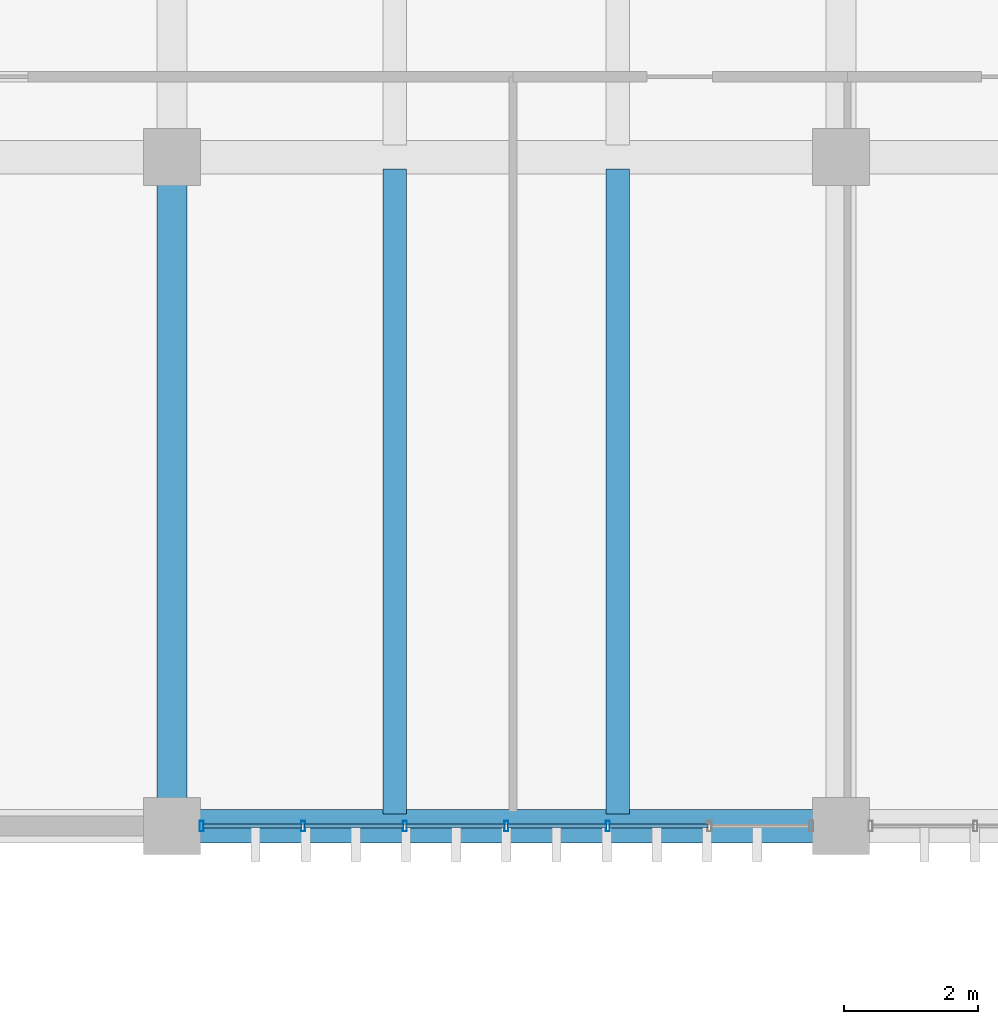
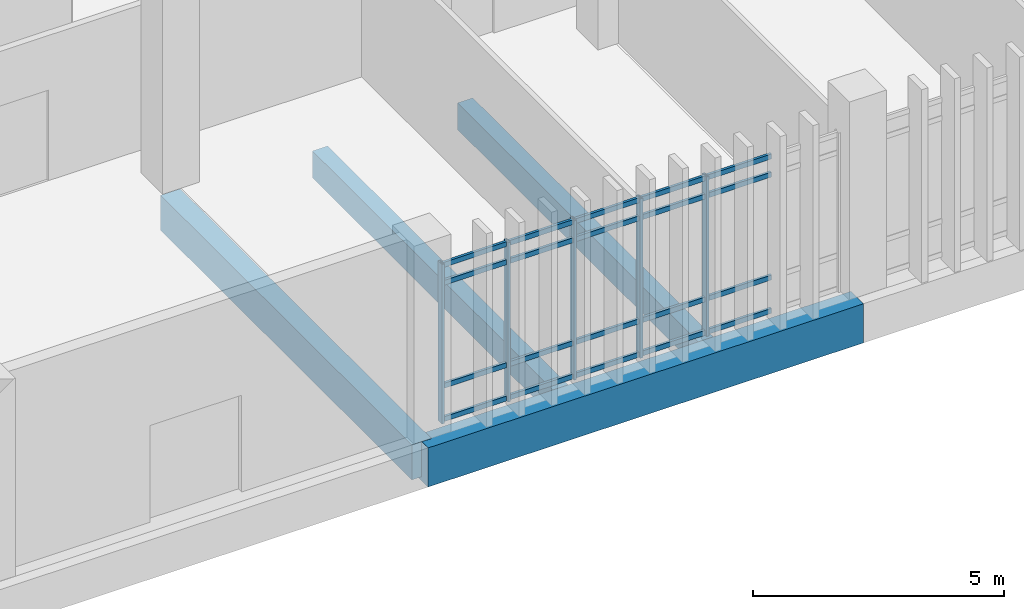
# One storey, part 44 of 87: 25 members, 4 beams, 1 element without a shape of its own.
"""IFC4 building model written with IfcOpenShell, lengths in metres."""

from ifc_helpers import new_model, si_unit, direction, frame, origin, origin_2d, place, context, subcontext, project, spatial, rectangle, hollow_rectangle, extrude, material, layer, layer_set, material_profile, profile_set, type_object, element, aggregate, save


model = new_model("IFC4")

# Units and contexts
model_context = context("Model", 3, precision=1e-05, world=origin(), true_north=direction((0.0, 1.0)))
body_context = subcontext(model_context, "Body", "Model", "MODEL_VIEW")
ifc_project = project(units=[si_unit("LENGTHUNIT", "METRE"), si_unit("AREAUNIT", "SQUARE_METRE"), si_unit("VOLUMEUNIT", "CUBIC_METRE"), si_unit("PLANEANGLEUNIT", "RADIAN"), si_unit("MASSUNIT", "GRAM", prefix="KILO")], contexts=[model_context])

# Site, building, storey
site_placement = place(None, origin())
site = spatial("IfcSite", under=ifc_project, at=site_placement, CompositionType="ELEMENT")
building_placement = place(site_placement, origin())
building = spatial("IfcBuilding", under=site, at=building_placement, Name="Mersad Railyard Sports Hall", CompositionType="ELEMENT")
storey_placement = place(building_placement, origin())
storey = spatial("IfcBuildingStorey", under=building, at=storey_placement, Name="L00", CompositionType="ELEMENT", Elevation=0.0)

# Curtain wall, members
ifc_material_1 = material(Name="Aluminium 6063-T6", Category="aluminium")
ifc_layer = layer(ifc_material_1, 0.159912109375)
ifc_layer_set = layer_set([ifc_layer], Name="Aluminium 6063-T6")
curtain_wall_type = type_object("IfcCurtainWallType", Name="ARC-CW-CW32", PredefinedType="USERDEFINED", material=ifc_layer_set)
curtain_wall_placement = place(storey_placement, origin())
curtain_wall = element("IfcCurtainWall", 1, at=curtain_wall_placement, inside=storey, type_object=curtain_wall_type, Name="Curtain wall CW32-0093", ObjectType="CURTAIN WALL", PredefinedType="USERDEFINED")
ifc_material_profile_1 = material_profile(ifc_material_1, hollow_rectangle(XDim=0.06005859375, YDim=0.159912109375, WallThickness=0.00390625, at=origin_2d()), Name="AL MULLION 60x160x4")
ifc_profile_set_1 = profile_set([ifc_material_profile_1], Name="Aluminium 6063-T6")
member_type_1 = type_object("IfcMemberType", Name="ARC-CW-MUL01", PredefinedType="MULLION", material=ifc_profile_set_1)
member_1_placement = place(storey_placement, frame((117.518310546875, 85.0, -0.02001953125), z_axis=(0.0, 0.0, 1.0), x_axis=(1.0, 0.0, 0.0)))
member_1 = element("IfcMember", 2, at=member_1_placement, type_object=member_type_1, Name="CW32 Mullion 3", PredefinedType="MULLION", context=body_context, shape_type="SweptSolid", body=[
    extrude(hollow_rectangle(XDim=0.06005859375, YDim=0.159912109375, WallThickness=0.00390625, at=origin_2d()), origin(), (0.0, 0.0, 1.0), 3.8701171875),
])
member_2_placement = place(storey_placement, frame((116.0, 85.0, -0.02001953125), z_axis=(0.0, 0.0, 1.0), x_axis=(1.0, 0.0, 0.0)))
member_2 = element("IfcMember", 3, at=member_2_placement, type_object=member_type_1, Name="CW32 Mullion 4", PredefinedType="MULLION", context=body_context, shape_type="SweptSolid", body=[
    extrude(hollow_rectangle(XDim=0.06005859375, YDim=0.159912109375, WallThickness=0.00390625, at=origin_2d()), origin(), (0.0, 0.0, 1.0), 3.8701171875),
])
member_3_placement = place(storey_placement, frame((114.481689453125, 85.0, -0.02001953125), z_axis=(0.0, 0.0, 1.0), x_axis=(1.0, 0.0, 0.0)))
member_3 = element("IfcMember", 4, at=member_3_placement, type_object=member_type_1, Name="CW32 Mullion 5", PredefinedType="MULLION", context=body_context, shape_type="SweptSolid", body=[
    extrude(hollow_rectangle(XDim=0.06005859375, YDim=0.159912109375, WallThickness=0.00390625, at=origin_2d()), origin(), (0.0, 0.0, 1.0), 3.8701171875),
])
member_4_placement = place(storey_placement, frame((112.96337890625, 85.0, -0.02001953125), z_axis=(0.0, 0.0, 1.0), x_axis=(1.0, 0.0, 0.0)))
member_4 = element("IfcMember", 5, at=member_4_placement, type_object=member_type_1, Name="CW32 Mullion 6", PredefinedType="MULLION", context=body_context, shape_type="SweptSolid", body=[
    extrude(hollow_rectangle(XDim=0.06005859375, YDim=0.159912109375, WallThickness=0.00390625, at=origin_2d()), origin(), (0.0, 0.0, 1.0), 3.8701171875),
])
member_5_placement = place(storey_placement, frame((111.445068359375, 85.0, -0.02001953125), z_axis=(0.0, 0.0, 1.0), x_axis=(1.0, 0.0, 0.0)))
member_5 = element("IfcMember", 6, at=member_5_placement, type_object=member_type_1, Name="CW32 Mullion 7", PredefinedType="MULLION", context=body_context, shape_type="SweptSolid", body=[
    extrude(hollow_rectangle(XDim=0.06005859375, YDim=0.159912109375, WallThickness=0.00390625, at=origin_2d()), origin(), (0.0, 0.0, 1.0), 3.8701171875),
])
ifc_material_profile_2 = material_profile(ifc_material_1, hollow_rectangle(XDim=0.06005859375, YDim=0.1201171875, WallThickness=0.00390625, at=origin_2d()), Name="AL TRANSOM 60x120x4")
ifc_profile_set_2 = profile_set([ifc_material_profile_2], Name="Aluminium 6063-T6")
member_type_2 = type_object("IfcMemberType", Name="ARC-CW-TRN01", PredefinedType="USERDEFINED", material=ifc_profile_set_2)
member_6_placement = place(storey_placement, frame((119.0166015625, 85.0, 0.0400390625), z_axis=(-1.0, 0.0, 0.0), x_axis=(0.0, -1.0, 0.0)))
member_6 = element("IfcMember", 7, at=member_6_placement, type_object=member_type_2, Name="CW32 Transom 1-2", ObjectType="TRANSOM", PredefinedType="USERDEFINED", context=body_context, shape_type="SweptSolid", body=[
    extrude(hollow_rectangle(XDim=0.06005859375, YDim=0.1201171875, WallThickness=0.00390625, at=origin_2d()), origin(), (0.0, 0.0, 1.0), 1.478271484375),
])
member_7_placement = place(storey_placement, frame((117.498291015625, 85.0, 0.0400390625), z_axis=(-1.0, 0.0, 0.0), x_axis=(0.0, -1.0, 0.0)))
member_7 = element("IfcMember", 8, at=member_7_placement, type_object=member_type_2, Name="CW32 Transom 1-3", ObjectType="TRANSOM", PredefinedType="USERDEFINED", context=body_context, shape_type="SweptSolid", body=[
    extrude(hollow_rectangle(XDim=0.06005859375, YDim=0.1201171875, WallThickness=0.00390625, at=origin_2d()), origin(), (0.0, 0.0, 1.0), 1.478271484375),
])
member_8_placement = place(storey_placement, frame((115.97998046875, 85.0, 0.0400390625), z_axis=(-1.0, 0.0, 0.0), x_axis=(0.0, -1.0, 0.0)))
member_8 = element("IfcMember", 9, at=member_8_placement, type_object=member_type_2, Name="CW32 Transom 1-4", ObjectType="TRANSOM", PredefinedType="USERDEFINED", context=body_context, shape_type="SweptSolid", body=[
    extrude(hollow_rectangle(XDim=0.06005859375, YDim=0.1201171875, WallThickness=0.00390625, at=origin_2d()), origin(), (0.0, 0.0, 1.0), 1.478271484375),
])
member_9_placement = place(storey_placement, frame((114.461669921875, 85.0, 0.0400390625), z_axis=(-1.0, 0.0, 0.0), x_axis=(0.0, -1.0, 0.0)))
member_9 = element("IfcMember", 10, at=member_9_placement, type_object=member_type_2, Name="CW32 Transom 1-5", ObjectType="TRANSOM", PredefinedType="USERDEFINED", context=body_context, shape_type="SweptSolid", body=[
    extrude(hollow_rectangle(XDim=0.06005859375, YDim=0.1201171875, WallThickness=0.00390625, at=origin_2d()), origin(), (0.0, 0.0, 1.0), 1.478271484375),
])
member_10_placement = place(storey_placement, frame((112.943359375, 85.0, 0.0400390625), z_axis=(-1.0, 0.0, 0.0), x_axis=(0.0, -1.0, 0.0)))
member_10 = element("IfcMember", 11, at=member_10_placement, type_object=member_type_2, Name="CW32 Transom 1-6", ObjectType="TRANSOM", PredefinedType="USERDEFINED", context=body_context, shape_type="SweptSolid", body=[
    extrude(hollow_rectangle(XDim=0.06005859375, YDim=0.1201171875, WallThickness=0.00390625, at=origin_2d()), origin(), (0.0, 0.0, 1.0), 1.478271484375),
])
member_11_placement = place(storey_placement, frame((119.0166015625, 85.0, 0.85009765625), z_axis=(-1.0, 0.0, 0.0), x_axis=(0.0, -1.0, 0.0)))
member_11 = element("IfcMember", 12, at=member_11_placement, type_object=member_type_2, Name="CW32 Transom 2-2", ObjectType="TRANSOM", PredefinedType="USERDEFINED", context=body_context, shape_type="SweptSolid", body=[
    extrude(hollow_rectangle(XDim=0.06005859375, YDim=0.1201171875, WallThickness=0.00390625, at=origin_2d()), origin(), (0.0, 0.0, 1.0), 1.478271484375),
])
member_12_placement = place(storey_placement, frame((117.498291015625, 85.0, 0.85009765625), z_axis=(-1.0, 0.0, 0.0), x_axis=(0.0, -1.0, 0.0)))
member_12 = element("IfcMember", 13, at=member_12_placement, type_object=member_type_2, Name="CW32 Transom 2-3", ObjectType="TRANSOM", PredefinedType="USERDEFINED", context=body_context, shape_type="SweptSolid", body=[
    extrude(hollow_rectangle(XDim=0.06005859375, YDim=0.1201171875, WallThickness=0.00390625, at=origin_2d()), origin(), (0.0, 0.0, 1.0), 1.478271484375),
])
member_13_placement = place(storey_placement, frame((115.97998046875, 85.0, 0.85009765625), z_axis=(-1.0, 0.0, 0.0), x_axis=(0.0, -1.0, 0.0)))
member_13 = element("IfcMember", 14, at=member_13_placement, type_object=member_type_2, Name="CW32 Transom 2-4", ObjectType="TRANSOM", PredefinedType="USERDEFINED", context=body_context, shape_type="SweptSolid", body=[
    extrude(hollow_rectangle(XDim=0.06005859375, YDim=0.1201171875, WallThickness=0.00390625, at=origin_2d()), origin(), (0.0, 0.0, 1.0), 1.478271484375),
])
member_14_placement = place(storey_placement, frame((114.461669921875, 85.0, 0.85009765625), z_axis=(-1.0, 0.0, 0.0), x_axis=(0.0, -1.0, 0.0)))
member_14 = element("IfcMember", 15, at=member_14_placement, type_object=member_type_2, Name="CW32 Transom 2-5", ObjectType="TRANSOM", PredefinedType="USERDEFINED", context=body_context, shape_type="SweptSolid", body=[
    extrude(hollow_rectangle(XDim=0.06005859375, YDim=0.1201171875, WallThickness=0.00390625, at=origin_2d()), origin(), (0.0, 0.0, 1.0), 1.478271484375),
])
member_15_placement = place(storey_placement, frame((112.943359375, 85.0, 0.85009765625), z_axis=(-1.0, 0.0, 0.0), x_axis=(0.0, -1.0, 0.0)))
member_15 = element("IfcMember", 16, at=member_15_placement, type_object=member_type_2, Name="CW32 Transom 2-6", ObjectType="TRANSOM", PredefinedType="USERDEFINED", context=body_context, shape_type="SweptSolid", body=[
    extrude(hollow_rectangle(XDim=0.06005859375, YDim=0.1201171875, WallThickness=0.00390625, at=origin_2d()), origin(), (0.0, 0.0, 1.0), 1.478271484375),
])
member_16_placement = place(storey_placement, frame((119.0166015625, 85.0, 3.35009765625), z_axis=(-1.0, 0.0, 0.0), x_axis=(0.0, -1.0, 0.0)))
member_16 = element("IfcMember", 17, at=member_16_placement, type_object=member_type_2, Name="CW32 Transom 3-2", ObjectType="TRANSOM", PredefinedType="USERDEFINED", context=body_context, shape_type="SweptSolid", body=[
    extrude(hollow_rectangle(XDim=0.06005859375, YDim=0.1201171875, WallThickness=0.00390625, at=origin_2d()), origin(), (0.0, 0.0, 1.0), 1.478271484375),
])
member_17_placement = place(storey_placement, frame((117.498291015625, 85.0, 3.35009765625), z_axis=(-1.0, 0.0, 0.0), x_axis=(0.0, -1.0, 0.0)))
member_17 = element("IfcMember", 18, at=member_17_placement, type_object=member_type_2, Name="CW32 Transom 3-3", ObjectType="TRANSOM", PredefinedType="USERDEFINED", context=body_context, shape_type="SweptSolid", body=[
    extrude(hollow_rectangle(XDim=0.06005859375, YDim=0.1201171875, WallThickness=0.00390625, at=origin_2d()), origin(), (0.0, 0.0, 1.0), 1.478271484375),
])
member_18_placement = place(storey_placement, frame((115.97998046875, 85.0, 3.35009765625), z_axis=(-1.0, 0.0, 0.0), x_axis=(0.0, -1.0, 0.0)))
member_18 = element("IfcMember", 19, at=member_18_placement, type_object=member_type_2, Name="CW32 Transom 3-4", ObjectType="TRANSOM", PredefinedType="USERDEFINED", context=body_context, shape_type="SweptSolid", body=[
    extrude(hollow_rectangle(XDim=0.06005859375, YDim=0.1201171875, WallThickness=0.00390625, at=origin_2d()), origin(), (0.0, 0.0, 1.0), 1.478271484375),
])
member_19_placement = place(storey_placement, frame((114.461669921875, 85.0, 3.35009765625), z_axis=(-1.0, 0.0, 0.0), x_axis=(0.0, -1.0, 0.0)))
member_19 = element("IfcMember", 20, at=member_19_placement, type_object=member_type_2, Name="CW32 Transom 3-5", ObjectType="TRANSOM", PredefinedType="USERDEFINED", context=body_context, shape_type="SweptSolid", body=[
    extrude(hollow_rectangle(XDim=0.06005859375, YDim=0.1201171875, WallThickness=0.00390625, at=origin_2d()), origin(), (0.0, 0.0, 1.0), 1.478271484375),
])
member_20_placement = place(storey_placement, frame((112.943359375, 85.0, 3.35009765625), z_axis=(-1.0, 0.0, 0.0), x_axis=(0.0, -1.0, 0.0)))
member_20 = element("IfcMember", 21, at=member_20_placement, type_object=member_type_2, Name="CW32 Transom 3-6", ObjectType="TRANSOM", PredefinedType="USERDEFINED", context=body_context, shape_type="SweptSolid", body=[
    extrude(hollow_rectangle(XDim=0.06005859375, YDim=0.1201171875, WallThickness=0.00390625, at=origin_2d()), origin(), (0.0, 0.0, 1.0), 1.478271484375),
])
member_21_placement = place(storey_placement, frame((119.0166015625, 85.0, 3.7900390625), z_axis=(-1.0, 0.0, 0.0), x_axis=(0.0, -1.0, 0.0)))
member_21 = element("IfcMember", 22, at=member_21_placement, type_object=member_type_2, Name="CW32 Transom 4-2", ObjectType="TRANSOM", PredefinedType="USERDEFINED", context=body_context, shape_type="SweptSolid", body=[
    extrude(hollow_rectangle(XDim=0.06005859375, YDim=0.1201171875, WallThickness=0.00390625, at=origin_2d()), origin(), (0.0, 0.0, 1.0), 1.478271484375),
])
member_22_placement = place(storey_placement, frame((117.498291015625, 85.0, 3.7900390625), z_axis=(-1.0, 0.0, 0.0), x_axis=(0.0, -1.0, 0.0)))
member_22 = element("IfcMember", 23, at=member_22_placement, type_object=member_type_2, Name="CW32 Transom 4-3", ObjectType="TRANSOM", PredefinedType="USERDEFINED", context=body_context, shape_type="SweptSolid", body=[
    extrude(hollow_rectangle(XDim=0.06005859375, YDim=0.1201171875, WallThickness=0.00390625, at=origin_2d()), origin(), (0.0, 0.0, 1.0), 1.478271484375),
])
member_23_placement = place(storey_placement, frame((115.97998046875, 85.0, 3.7900390625), z_axis=(-1.0, 0.0, 0.0), x_axis=(0.0, -1.0, 0.0)))
member_23 = element("IfcMember", 24, at=member_23_placement, type_object=member_type_2, Name="CW32 Transom 4-4", ObjectType="TRANSOM", PredefinedType="USERDEFINED", context=body_context, shape_type="SweptSolid", body=[
    extrude(hollow_rectangle(XDim=0.06005859375, YDim=0.1201171875, WallThickness=0.00390625, at=origin_2d()), origin(), (0.0, 0.0, 1.0), 1.478271484375),
])
member_24_placement = place(storey_placement, frame((114.461669921875, 85.0, 3.7900390625), z_axis=(-1.0, 0.0, 0.0), x_axis=(0.0, -1.0, 0.0)))
member_24 = element("IfcMember", 25, at=member_24_placement, type_object=member_type_2, Name="CW32 Transom 4-5", ObjectType="TRANSOM", PredefinedType="USERDEFINED", context=body_context, shape_type="SweptSolid", body=[
    extrude(hollow_rectangle(XDim=0.06005859375, YDim=0.1201171875, WallThickness=0.00390625, at=origin_2d()), origin(), (0.0, 0.0, 1.0), 1.478271484375),
])
member_25_placement = place(storey_placement, frame((112.943359375, 85.0, 3.7900390625), z_axis=(-1.0, 0.0, 0.0), x_axis=(0.0, -1.0, 0.0)))
member_25 = element("IfcMember", 26, at=member_25_placement, type_object=member_type_2, Name="CW32 Transom 4-6", ObjectType="TRANSOM", PredefinedType="USERDEFINED", context=body_context, shape_type="SweptSolid", body=[
    extrude(hollow_rectangle(XDim=0.06005859375, YDim=0.1201171875, WallThickness=0.00390625, at=origin_2d()), origin(), (0.0, 0.0, 1.0), 1.478271484375),
])
aggregate(curtain_wall, [member_1, member_2, member_3, member_4, member_5, member_6, member_7, member_8, member_9, member_10, member_11, member_12, member_13, member_14, member_15, member_16, member_17, member_18, member_19, member_20, member_21, member_22, member_23, member_24, member_25])

# Beams
ifc_material_2 = material(Name="Concrete C40/50", Category="concrete")
ifc_material_profile_3 = material_profile(ifc_material_2, rectangle(XDim=0.449951171875, YDim=0.85009765625, at=origin_2d()), Name="RC 450x850")
ifc_profile_set_3 = profile_set([ifc_material_profile_3], Name="Concrete C40/50")
beam_type_1 = type_object("IfcBeamType", Name="STR-BM-B02", PredefinedType="BEAM", material=ifc_profile_set_3)
beam_1_placement = place(storey_placement, frame((111.0, 85.0, -0.77490234375), z_axis=(0.0, 1.0, 0.0), x_axis=(-1.0, 0.0, 0.0)))
element("IfcBeam", 27, at=beam_1_placement, inside=storey, type_object=beam_type_1, Name="Beam B02-0192", PredefinedType="BEAM", context=body_context, shape_type="SweptSolid", body=[
    extrude(rectangle(XDim=0.449951171875, YDim=0.85009765625, at=origin_2d()), origin(), (0.0, 0.0, 1.0), 10.0),
])
ifc_material_3 = material(Name="Concrete C50/60", Category="concrete")
ifc_material_profile_4 = material_profile(ifc_material_3, rectangle(XDim=0.5, YDim=0.949951171875, at=origin_2d()), Name="RC 500x950")
ifc_profile_set_4 = profile_set([ifc_material_profile_4], Name="Concrete C50/60")
beam_type_2 = type_object("IfcBeamType", Name="STR-BM-B03", PredefinedType="BEAM", material=ifc_profile_set_4)
beam_2_placement = place(storey_placement, frame((111.0, 85.0, -0.824951171875), z_axis=(1.0, 0.0, 0.0), x_axis=(0.0, 1.0, 0.0)))
element("IfcBeam", 28, at=beam_2_placement, inside=storey, type_object=beam_type_2, Name="Beam B03-0148", PredefinedType="BEAM", context=body_context, shape_type="SweptSolid", body=[
    extrude(rectangle(XDim=0.5, YDim=0.949951171875, at=origin_2d()), origin(), (0.0, 0.0, 1.0), 10.0),
])
ifc_material_profile_5 = material_profile(ifc_material_2, rectangle(XDim=0.35009765625, YDim=0.64990234375, at=origin_2d()), Name="RC 350x650")
ifc_profile_set_5 = profile_set([ifc_material_profile_5], Name="Concrete C40/50")
beam_type_3 = type_object("IfcBeamType", Name="STR-BM-J01", PredefinedType="JOIST", material=ifc_profile_set_5)
for number, where, z_axis, x_axis, name in (
    (29, (114.3330078125, 85.179931640625, -0.675048828125), (0.0, 1.0, 0.0), (-1.0, 0.0, 0.0), "Beam J01-0256"),
    (30, (117.6669921875, 85.179931640625, -0.675048828125), (0.0, 1.0, 0.0), (-1.0, 0.0, 0.0), "Beam J01-0257"),
):
    element("IfcBeam", number, at=place(storey_placement, frame(where, z_axis=z_axis, x_axis=x_axis)), inside=storey, type_object=beam_type_3, Name=name, PredefinedType="JOIST", context=body_context, shape_type="SweptSolid", body=[
        extrude(rectangle(XDim=0.35009765625, YDim=0.64990234375, at=origin_2d()), origin(), (0.0, 0.0, 1.0), 9.64013671875),
    ])

save(model, "model.ifc")
